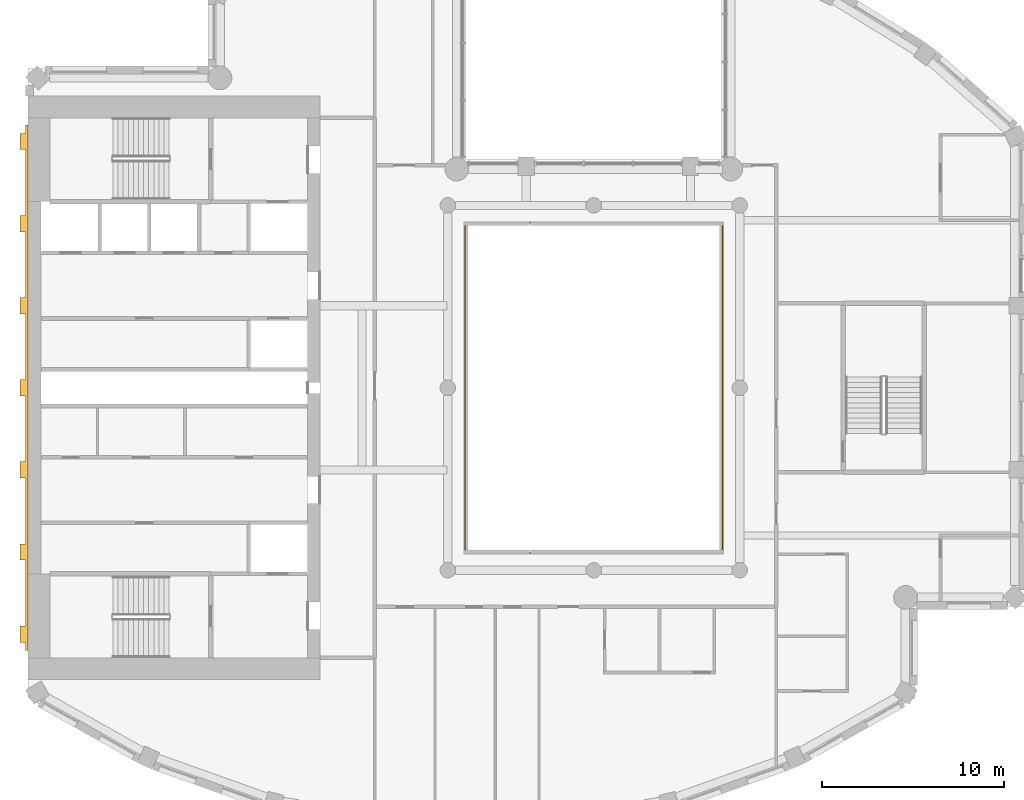
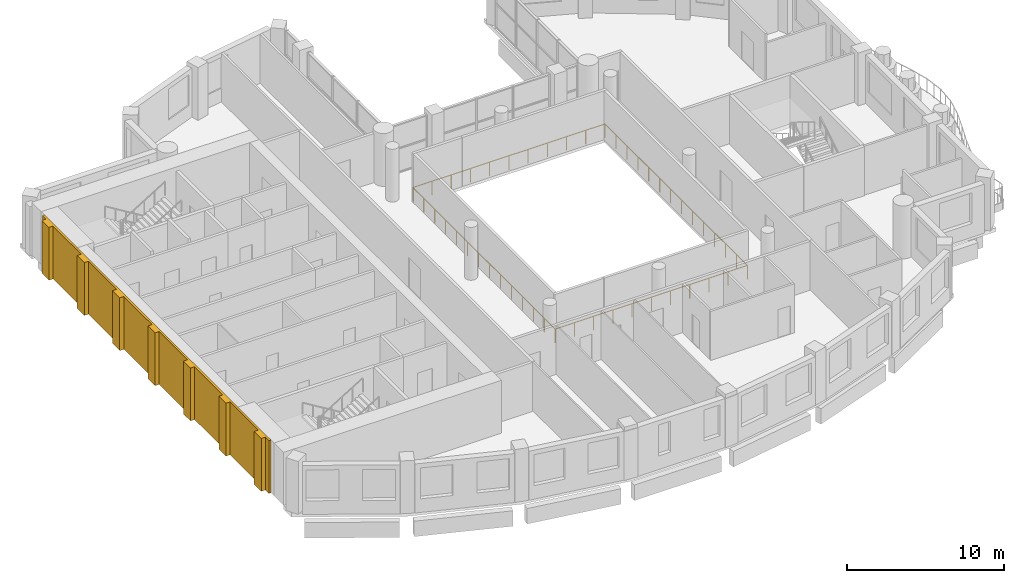
# One storey, part 11 of 14: 1 covering, 1 railing.
"""IFC4 building model written with IfcOpenShell, lengths in metres."""

import ifcopenshell
import ifcopenshell.guid

model = None  # the IFC model being written
_history = None  # IfcOwnerHistory: only IFC2X3 demands one
_inside = {}  # id of a spatial element -> (the spatial element, [elements in it])
_under = {}  # id of a project, library or spatial element -> (it, [spatial elements below it])
_declared = {}  # id of a project -> (the project, [libraries it declares])
_typed = {}  # id of a type object -> (the type object, [elements of that type])
_made_of = {}  # id of a material, layer set ... -> (it, [elements and type objects made of it])


def new_model(schema):
    """Start an empty IFC model of exactly this schema.

    Asked for "IFC4X3", IfcOpenShell would pick the latest addendum, in which some entities
    have other attributes; the version numbers below select the first issue.
    IFC2X3 requires an IfcOwnerHistory on every rooted entity: one is made here for all.
    """
    global model, _history
    if schema == "IFC4X3":
        model = ifcopenshell.file(schema_version=(4, 3, 0, 0))
    else:
        model = ifcopenshell.file(schema=schema)
    _inside.clear()
    _under.clear()
    _declared.clear()
    _typed.clear()
    _made_of.clear()
    _history = None
    if model.schema == "IFC2X3":
        org = make("IfcOrganization", Name="unknown")
        user = make(
            "IfcPersonAndOrganization",
            ThePerson=make("IfcPerson", FamilyName="unknown"),
            TheOrganization=org,
        )
        app = make(
            "IfcApplication",
            ApplicationDeveloper=org,
            Version="unknown",
            ApplicationFullName="unknown",
            ApplicationIdentifier="unknown",
        )
        _history = make(
            "IfcOwnerHistory",
            OwningUser=user,
            OwningApplication=app,
            ChangeAction="ADDED",
            CreationDate=0,
        )
    return model


def make(cls, **values):
    """One entity of the class cls with the attributes given. An attribute that is None is left unset."""
    return model.create_entity(
        cls, **{name: value for name, value in values.items() if value is not None}
    )


def rooted(cls, **values):
    """An entity with a GlobalId (a new one), such as an element, a storey or a relation."""
    return make(cls, GlobalId=ifcopenshell.guid.new(), OwnerHistory=_history, **values)


def si_unit(unit_type, name, prefix=None):
    """IfcSIUnit, for example si_unit("LENGTHUNIT", "METRE", prefix="MILLI")."""
    return make("IfcSIUnit", UnitType=unit_type, Prefix=prefix, Name=name)


def assignment(units):
    """IfcUnitAssignment: the units of a project."""
    return None if units is None else make("IfcUnitAssignment", Units=units)


def point(xyz):
    """IfcCartesianPoint."""
    return None if xyz is None else make("IfcCartesianPoint", Coordinates=xyz)


def direction(xyz):
    """IfcDirection."""
    return None if xyz is None else make("IfcDirection", DirectionRatios=xyz)


def frame(location, z_axis=None, x_axis=None):
    """IfcAxis2Placement3D, a coordinate frame: its origin and axes. An axis left out is left unset."""
    return make(
        "IfcAxis2Placement3D",
        Location=point(location),
        Axis=direction(z_axis),
        RefDirection=direction(x_axis),
    )


def frame_2d(location, x_axis=None):
    """IfcAxis2Placement2D, a coordinate frame in the plane: its origin and x axis."""
    return make(
        "IfcAxis2Placement2D", Location=point(location), RefDirection=direction(x_axis)
    )


def origin():
    """The frame at (0, 0, 0) with its axes left unset."""
    return frame((0.0, 0.0, 0.0))


def origin_2d():
    """The frame at (0, 0) in the plane with its x axis left unset."""
    return frame_2d((0.0, 0.0))


def place(relative_to, where):
    """IfcLocalPlacement: puts the frame where relative to a parent placement (None: the world)."""
    return make(
        "IfcLocalPlacement", PlacementRelTo=relative_to, RelativePlacement=where
    )


def context(
    kind, dimensions, precision=None, world=None, true_north=None, identifier=None
):
    """IfcGeometricRepresentationContext, for example the 3D "Model" context."""
    return make(
        "IfcGeometricRepresentationContext",
        ContextIdentifier=identifier,
        ContextType=kind,
        CoordinateSpaceDimension=dimensions,
        Precision=precision,
        WorldCoordinateSystem=world,
        TrueNorth=true_north,
    )


def subcontext(parent, identifier, kind, view, scale=None):
    """IfcGeometricRepresentationSubContext, for example "Body" below "Model"."""
    return make(
        "IfcGeometricRepresentationSubContext",
        ContextIdentifier=identifier,
        ContextType=kind,
        ParentContext=parent,
        TargetScale=scale,
        TargetView=view,
    )


def project(units=None, contexts=None):
    """IfcProject with its units and contexts."""
    return rooted(
        "IfcProject",
        Name="project",
        RepresentationContexts=contexts,
        UnitsInContext=assignment(units),
    )


def spatial(cls, under=None, at=None, **own):
    """A site, building, storey or space (cls), placed at a placement, below another one or the project."""
    s = rooted(cls, ObjectPlacement=at, **own)
    if under is not None:
        _under.setdefault(under.id(), (under, []))[1].append(s)
    return s


def polyline(points):
    """IfcPolyline through the points."""
    return make("IfcPolyline", Points=[point(p) for p in points])


def profile(cls, at=None, kind="AREA", **sizes):
    """A parametric profile (cls). Its sizes go by their IFC names, for example OverallWidth=200.0."""
    return make(cls, ProfileType=kind, Position=at, **sizes)


def rectangle(**sizes):
    """IfcRectangleProfileDef."""
    return profile("IfcRectangleProfileDef", **sizes)


def outline(outer, holes=None, kind="AREA"):
    """IfcArbitraryClosedProfileDef: a profile drawn as a closed curve; with holes, ...WithVoids."""
    if holes is None:
        return make("IfcArbitraryClosedProfileDef", ProfileType=kind, OuterCurve=outer)
    return make(
        "IfcArbitraryProfileDefWithVoids",
        ProfileType=kind,
        OuterCurve=outer,
        InnerCurves=holes,
    )


def extrude(swept, where, along, depth):
    """IfcExtrudedAreaSolid: the profile swept, set in the frame where, extruded along a direction by depth."""
    return make(
        "IfcExtrudedAreaSolid",
        SweptArea=swept,
        Position=where,
        ExtrudedDirection=direction(along),
        Depth=depth,
    )


def shape(context_of_items, identifier, shape_type, items):
    """IfcShapeRepresentation: the items that make up one representation, for example the "Body"."""
    return make(
        "IfcShapeRepresentation",
        ContextOfItems=context_of_items,
        RepresentationIdentifier=identifier,
        RepresentationType=shape_type,
        Items=items,
    )


def material(Name=None, Category=None):
    """IfcMaterial."""
    return make("IfcMaterial", Name=Name, Category=Category)


def layer(
    of_material, thickness, ventilated=None, Name=None, Category=None, Priority=None
):
    """IfcMaterialLayer: one layer of a wall or slab, of a material (None: an air gap)."""
    return make(
        "IfcMaterialLayer",
        Material=of_material,
        LayerThickness=thickness,
        IsVentilated=ventilated,
        Name=Name,
        Category=Category,
        Priority=Priority,
    )


def layer_set(layers, Name=None):
    """IfcMaterialLayerSet."""
    return make("IfcMaterialLayerSet", MaterialLayers=layers, LayerSetName=Name)


def made_of(thing, what):
    """Note that an element or type object is made of a material, layer set ...; save() writes the relation."""
    if what is not None:
        _made_of.setdefault(what.id(), (what, []))[1].append(thing)
    return thing


def type_object(cls, material=None, **own):
    """A type object (cls), such as IfcWallType, which elements share."""
    return made_of(rooted(cls, **own), material)


def element(
    cls,
    number,
    at=None,
    inside=None,
    cuts=None,
    type_object=None,
    material=None,
    context=None,
    identifier="Body",
    shape_type=None,
    held_by="IfcProductDefinitionShape",
    body=None,
    shapes=None,
    **own,
):
    """One element of the class cls, such as IfcWall. Its Tag is "e" and its number.

    at: its placement. inside: the storey or other place that contains it. cuts: it is an
    opening in that element (IfcRelVoidsElement). A single representation is given by context,
    identifier, shape_type and body (its items); several are given by shapes. held_by: the class
    of the entity that holds the representations. save() writes the other relations.
    """
    e = rooted(cls, Tag="e%d" % number, ObjectPlacement=at, **own)
    if body is not None:
        shapes = [shape(context, identifier, shape_type, body)]
    if shapes is not None:
        e.Representation = make(held_by, Representations=shapes)
    if inside is not None:
        _inside.setdefault(inside.id(), (inside, []))[1].append(e)
    if cuts is not None:
        rooted(
            "IfcRelVoidsElement", RelatingBuildingElement=cuts, RelatedOpeningElement=e
        )
    if type_object is not None:
        _typed.setdefault(type_object.id(), (type_object, []))[1].append(e)
    return made_of(e, material)


def aggregate(whole, parts):
    """IfcRelAggregates: a whole, such as a stair, and the parts it consists of."""
    return rooted("IfcRelAggregates", RelatingObject=whole, RelatedObjects=parts)


def save(model, path):
    """Write the relations noted so far, then the file.

    IfcRelAggregates (storeys below a building ...), IfcRelContainedInSpatialStructure (elements
    in a storey), IfcRelDefinesByType, IfcRelAssociatesMaterial and IfcRelDeclares: one each for
    every whole, place, type object, material and project.
    """
    for whole, parts in _under.values():
        aggregate(whole, parts)
    for where, things in _inside.values():
        rooted(
            "IfcRelContainedInSpatialStructure",
            RelatedElements=things,
            RelatingStructure=where,
        )
    for kind, things in _typed.values():
        rooted("IfcRelDefinesByType", RelatedObjects=things, RelatingType=kind)
    for what, things in _made_of.values():
        rooted("IfcRelAssociatesMaterial", RelatedObjects=things, RelatingMaterial=what)
    for by, libraries in _declared.values():
        rooted("IfcRelDeclares", RelatingContext=by, RelatedDefinitions=libraries)
    model.write(path)


model = new_model("IFC4")

# Units and contexts
model_context = context("Model", 3, precision=1e-05, world=origin(), true_north=direction((0.0, 1.0)))
body_context = subcontext(model_context, "Body", "Model", "MODEL_VIEW")
ifc_project = project(units=[si_unit("LENGTHUNIT", "METRE"), si_unit("AREAUNIT", "SQUARE_METRE"), si_unit("VOLUMEUNIT", "CUBIC_METRE"), si_unit("PLANEANGLEUNIT", "RADIAN"), si_unit("MASSUNIT", "GRAM", prefix="KILO")], contexts=[model_context])

# Site, building, storey
site_placement = place(None, origin())
site = spatial("IfcSite", under=ifc_project, at=site_placement, CompositionType="ELEMENT")
building_placement = place(site_placement, origin())
building = spatial("IfcBuilding", under=site, at=building_placement, Name="Cypress Arch Tower", CompositionType="ELEMENT")
storey_placement = place(building_placement, frame((0.0, 0.0, 280.300048828125)))
storey = spatial("IfcBuildingStorey", under=building, at=storey_placement, Name="L63", CompositionType="ELEMENT", Elevation=280.300048828125)

# Railing
ifc_material_1 = material(Name="Stainless steel posts and handrail, laminated glass infill", Category="steel")
railing_type = type_object("IfcRailingType", Name="Atrium guard GR1100A", PredefinedType="GUARDRAIL", material=ifc_material_1)
railing_placement = place(storey_placement, frame((8.050048828125, -9.050048828125, 0.0)))
element("IfcRailing", 1, at=railing_placement, inside=storey, type_object=railing_type, Name="Atrium guard L63", PredefinedType="GUARDRAIL", context=body_context, shape_type="SweptSolid", body=[
    extrude(rectangle(XDim=0.050048828125, YDim=0.050048828125, at=origin_2d()), frame((0.0, 0.0, 1.0751953125), z_axis=(-1.0, 0.0, 0.0), x_axis=(0.0, -1.0, 0.0)), (0.0, 0.0, 1.0), 14.10009765625),
    extrude(rectangle(XDim=0.050048828125, YDim=0.050048828125, at=origin_2d()), frame((-14.10009765625, 0.0, 1.0751953125), z_axis=(0.0, 1.0, 0.0), x_axis=(-1.0, 0.0, 0.0)), (0.0, 0.0, 1.0), 18.10009765625),
    extrude(rectangle(XDim=0.050048828125, YDim=0.050048828125, at=origin_2d()), frame((-14.10009765625, 18.10009765625, 1.0751953125), z_axis=(1.0, 0.0, 0.0), x_axis=(0.0, 1.0, 0.0)), (0.0, 0.0, 1.0), 14.10009765625),
    extrude(rectangle(XDim=0.050048828125, YDim=0.050048828125, at=origin_2d()), frame((0.0, 18.10009765625, 1.0751953125), z_axis=(0.0, -1.0, 0.0), x_axis=(1.0, 0.0, 0.0)), (0.0, 0.0, 1.0), 18.10009765625),
    extrude(rectangle(XDim=0.050048828125, YDim=0.050048828125, at=origin_2d()), origin(), (0.0, 0.0, 1.0), 1.050048828125),
    extrude(rectangle(XDim=0.050048828125, YDim=0.050048828125, at=origin_2d()), frame((-1.409912109375, 0.0, 0.0)), (0.0, 0.0, 1.0), 1.050048828125),
    extrude(rectangle(XDim=0.050048828125, YDim=0.050048828125, at=origin_2d()), frame((-2.820068359375, 0.0, 0.0)), (0.0, 0.0, 1.0), 1.050048828125),
    extrude(rectangle(XDim=0.050048828125, YDim=0.050048828125, at=origin_2d()), frame((-4.22998046875, 0.0, 0.0)), (0.0, 0.0, 1.0), 1.050048828125),
    extrude(rectangle(XDim=0.050048828125, YDim=0.050048828125, at=origin_2d()), frame((-5.64013671875, 0.0, 0.0)), (0.0, 0.0, 1.0), 1.050048828125),
    extrude(rectangle(XDim=0.050048828125, YDim=0.050048828125, at=origin_2d()), frame((-7.050048828125, 0.0, 0.0)), (0.0, 0.0, 1.0), 1.050048828125),
    extrude(rectangle(XDim=0.050048828125, YDim=0.050048828125, at=origin_2d()), frame((-8.4599609375, 0.0, 0.0)), (0.0, 0.0, 1.0), 1.050048828125),
    extrude(rectangle(XDim=0.050048828125, YDim=0.050048828125, at=origin_2d()), frame((-9.8701171875, 0.0, 0.0)), (0.0, 0.0, 1.0), 1.050048828125),
    extrude(rectangle(XDim=0.050048828125, YDim=0.050048828125, at=origin_2d()), frame((-11.280029296875, 0.0, 0.0)), (0.0, 0.0, 1.0), 1.050048828125),
    extrude(rectangle(XDim=0.050048828125, YDim=0.050048828125, at=origin_2d()), frame((-12.690185546875, 0.0, 0.0)), (0.0, 0.0, 1.0), 1.050048828125),
    extrude(rectangle(XDim=0.050048828125, YDim=0.050048828125, at=origin_2d()), frame((-14.10009765625, 0.0, 0.0)), (0.0, 0.0, 1.0), 1.050048828125),
    extrude(rectangle(XDim=0.050048828125, YDim=0.050048828125, at=origin_2d()), frame((-14.10009765625, 1.392333984375, 0.0)), (0.0, 0.0, 1.0), 1.050048828125),
    extrude(rectangle(XDim=0.050048828125, YDim=0.050048828125, at=origin_2d()), frame((-14.10009765625, 2.78466796875, 0.0)), (0.0, 0.0, 1.0), 1.050048828125),
    extrude(rectangle(XDim=0.050048828125, YDim=0.050048828125, at=origin_2d()), frame((-14.10009765625, 4.177001953125, 0.0)), (0.0, 0.0, 1.0), 1.050048828125),
    extrude(rectangle(XDim=0.050048828125, YDim=0.050048828125, at=origin_2d()), frame((-14.10009765625, 5.5693359375, 0.0)), (0.0, 0.0, 1.0), 1.050048828125),
    extrude(rectangle(XDim=0.050048828125, YDim=0.050048828125, at=origin_2d()), frame((-14.10009765625, 6.961669921875, 0.0)), (0.0, 0.0, 1.0), 1.050048828125),
    extrude(rectangle(XDim=0.050048828125, YDim=0.050048828125, at=origin_2d()), frame((-14.10009765625, 8.35400390625, 0.0)), (0.0, 0.0, 1.0), 1.050048828125),
    extrude(rectangle(XDim=0.050048828125, YDim=0.050048828125, at=origin_2d()), frame((-14.10009765625, 9.74609375, 0.0)), (0.0, 0.0, 1.0), 1.050048828125),
    extrude(rectangle(XDim=0.050048828125, YDim=0.050048828125, at=origin_2d()), frame((-14.10009765625, 11.138427734375, 0.0)), (0.0, 0.0, 1.0), 1.050048828125),
    extrude(rectangle(XDim=0.050048828125, YDim=0.050048828125, at=origin_2d()), frame((-14.10009765625, 12.53076171875, 0.0)), (0.0, 0.0, 1.0), 1.050048828125),
    extrude(rectangle(XDim=0.050048828125, YDim=0.050048828125, at=origin_2d()), frame((-14.10009765625, 13.923095703125, 0.0)), (0.0, 0.0, 1.0), 1.050048828125),
    extrude(rectangle(XDim=0.050048828125, YDim=0.050048828125, at=origin_2d()), frame((-14.10009765625, 15.3154296875, 0.0)), (0.0, 0.0, 1.0), 1.050048828125),
    extrude(rectangle(XDim=0.050048828125, YDim=0.050048828125, at=origin_2d()), frame((-14.10009765625, 16.707763671875, 0.0)), (0.0, 0.0, 1.0), 1.050048828125),
    extrude(rectangle(XDim=0.050048828125, YDim=0.050048828125, at=origin_2d()), frame((-14.10009765625, 18.10009765625, 0.0)), (0.0, 0.0, 1.0), 1.050048828125),
    extrude(rectangle(XDim=0.050048828125, YDim=0.050048828125, at=origin_2d()), frame((-12.690185546875, 18.10009765625, 0.0)), (0.0, 0.0, 1.0), 1.050048828125),
    extrude(rectangle(XDim=0.050048828125, YDim=0.050048828125, at=origin_2d()), frame((-11.280029296875, 18.10009765625, 0.0)), (0.0, 0.0, 1.0), 1.050048828125),
    extrude(rectangle(XDim=0.050048828125, YDim=0.050048828125, at=origin_2d()), frame((-9.8701171875, 18.10009765625, 0.0)), (0.0, 0.0, 1.0), 1.050048828125),
    extrude(rectangle(XDim=0.050048828125, YDim=0.050048828125, at=origin_2d()), frame((-8.4599609375, 18.10009765625, 0.0)), (0.0, 0.0, 1.0), 1.050048828125),
    extrude(rectangle(XDim=0.050048828125, YDim=0.050048828125, at=origin_2d()), frame((-7.050048828125, 18.10009765625, 0.0)), (0.0, 0.0, 1.0), 1.050048828125),
    extrude(rectangle(XDim=0.050048828125, YDim=0.050048828125, at=origin_2d()), frame((-5.64013671875, 18.10009765625, 0.0)), (0.0, 0.0, 1.0), 1.050048828125),
    extrude(rectangle(XDim=0.050048828125, YDim=0.050048828125, at=origin_2d()), frame((-4.22998046875, 18.10009765625, 0.0)), (0.0, 0.0, 1.0), 1.050048828125),
    extrude(rectangle(XDim=0.050048828125, YDim=0.050048828125, at=origin_2d()), frame((-2.820068359375, 18.10009765625, 0.0)), (0.0, 0.0, 1.0), 1.050048828125),
    extrude(rectangle(XDim=0.050048828125, YDim=0.050048828125, at=origin_2d()), frame((-1.409912109375, 18.10009765625, 0.0)), (0.0, 0.0, 1.0), 1.050048828125),
    extrude(rectangle(XDim=0.050048828125, YDim=0.050048828125, at=origin_2d()), frame((0.0, 18.10009765625, 0.0)), (0.0, 0.0, 1.0), 1.050048828125),
    extrude(rectangle(XDim=0.050048828125, YDim=0.050048828125, at=origin_2d()), frame((0.0, 16.707763671875, 0.0)), (0.0, 0.0, 1.0), 1.050048828125),
    extrude(rectangle(XDim=0.050048828125, YDim=0.050048828125, at=origin_2d()), frame((0.0, 15.3154296875, 0.0)), (0.0, 0.0, 1.0), 1.050048828125),
    extrude(rectangle(XDim=0.050048828125, YDim=0.050048828125, at=origin_2d()), frame((0.0, 13.923095703125, 0.0)), (0.0, 0.0, 1.0), 1.050048828125),
    extrude(rectangle(XDim=0.050048828125, YDim=0.050048828125, at=origin_2d()), frame((0.0, 12.53076171875, 0.0)), (0.0, 0.0, 1.0), 1.050048828125),
    extrude(rectangle(XDim=0.050048828125, YDim=0.050048828125, at=origin_2d()), frame((0.0, 11.138427734375, 0.0)), (0.0, 0.0, 1.0), 1.050048828125),
    extrude(rectangle(XDim=0.050048828125, YDim=0.050048828125, at=origin_2d()), frame((0.0, 9.74609375, 0.0)), (0.0, 0.0, 1.0), 1.050048828125),
    extrude(rectangle(XDim=0.050048828125, YDim=0.050048828125, at=origin_2d()), frame((0.0, 8.35400390625, 0.0)), (0.0, 0.0, 1.0), 1.050048828125),
    extrude(rectangle(XDim=0.050048828125, YDim=0.050048828125, at=origin_2d()), frame((0.0, 6.961669921875, 0.0)), (0.0, 0.0, 1.0), 1.050048828125),
    extrude(rectangle(XDim=0.050048828125, YDim=0.050048828125, at=origin_2d()), frame((0.0, 5.5693359375, 0.0)), (0.0, 0.0, 1.0), 1.050048828125),
    extrude(rectangle(XDim=0.050048828125, YDim=0.050048828125, at=origin_2d()), frame((0.0, 4.177001953125, 0.0)), (0.0, 0.0, 1.0), 1.050048828125),
    extrude(rectangle(XDim=0.050048828125, YDim=0.050048828125, at=origin_2d()), frame((0.0, 2.78466796875, 0.0)), (0.0, 0.0, 1.0), 1.050048828125),
    extrude(rectangle(XDim=0.050048828125, YDim=0.050048828125, at=origin_2d()), frame((0.0, 1.392333984375, 0.0)), (0.0, 0.0, 1.0), 1.050048828125),
])

# Covering
ifc_material_2 = material(Name="Brick (red buff blend)", Category="masonry")
ifc_layer = layer(ifc_material_2, 0.449951171875)
ifc_layer_set = layer_set([ifc_layer], Name="West face brick piers WP450")
covering_type = type_object("IfcCoveringType", Name="West face brick piers WP450", PredefinedType="CLADDING", material=ifc_layer_set)
covering_placement = place(storey_placement, origin())
element("IfcCovering", 2, at=covering_placement, inside=storey, type_object=covering_type, Name="West face brick piers L63", PredefinedType="CLADDING", context=body_context, shape_type="SweptSolid", body=[
    extrude(outline(polyline([(-30.14990234375, -13.050048828125), (-30.14990234375, -9.449951171875), (-30.449951171875, -9.449951171875), (-30.449951171875, -8.550048828125), (-30.14990234375, -8.550048828125), (-30.14990234375, -4.949951171875), (-30.449951171875, -4.949951171875), (-30.449951171875, -4.050048828125), (-30.14990234375, -4.050048828125), (-30.14990234375, -0.449951171875), (-30.449951171875, -0.449951171875), (-30.449951171875, 0.449951171875), (-30.14990234375, 0.449951171875), (-30.14990234375, 4.050048828125), (-30.449951171875, 4.050048828125), (-30.449951171875, 4.949951171875), (-30.14990234375, 4.949951171875), (-30.14990234375, 8.550048828125), (-30.449951171875, 8.550048828125), (-30.449951171875, 9.449951171875), (-30.14990234375, 9.449951171875), (-30.14990234375, 13.050048828125), (-30.449951171875, 13.050048828125), (-30.449951171875, 13.949951171875), (-30.14990234375, 13.949951171875), (-30.14990234375, 14.39990234375), (-30.0, 14.39990234375), (-30.0, -14.39990234375), (-30.14990234375, -14.39990234375), (-30.14990234375, -13.949951171875), (-30.449951171875, -13.949951171875), (-30.449951171875, -13.050048828125), (-30.14990234375, -13.050048828125)])), origin(), (0.0, 0.0, 1.0), 4.099853515625),
])

save(model, "model.ifc")
